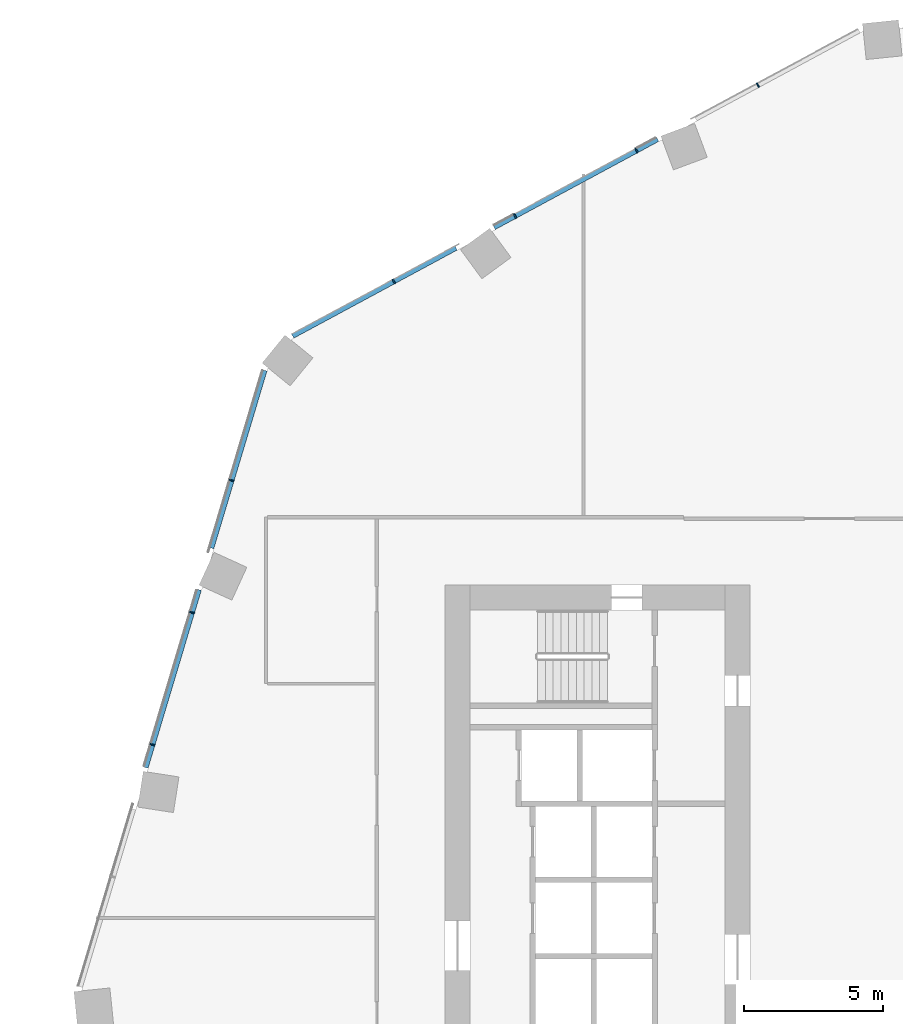
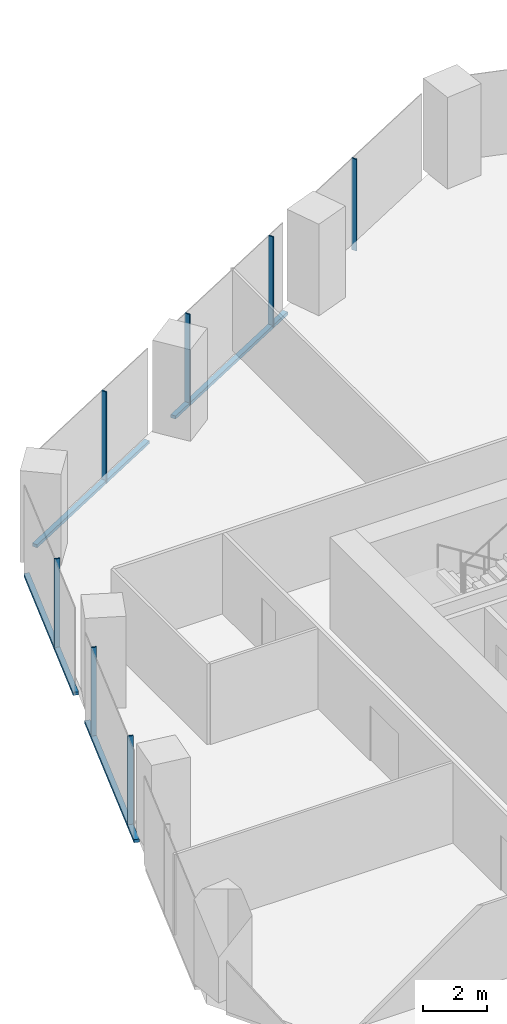
# One storey, part 11 of 34: 11 members, 2 elements without a shape of their own.
"""IFC4 building model written with IfcOpenShell, lengths in metres."""

from ifc_helpers import new_model, si_unit, direction, frame, origin, origin_2d, place, context, subcontext, project, spatial, rectangle, extrude, material, material_profile, profile_set, type_object, element, aggregate, save


model = new_model("IFC4")

# Units and contexts
model_context = context("Model", 3, precision=1e-05, world=origin(), true_north=direction((0.0, 1.0)))
body_context = subcontext(model_context, "Body", "Model", "MODEL_VIEW")
ifc_project = project(units=[si_unit("LENGTHUNIT", "METRE"), si_unit("AREAUNIT", "SQUARE_METRE"), si_unit("VOLUMEUNIT", "CUBIC_METRE"), si_unit("PLANEANGLEUNIT", "RADIAN"), si_unit("MASSUNIT", "GRAM", prefix="KILO")], contexts=[model_context])

# Site, building, storey
site_placement = place(None, origin())
site = spatial("IfcSite", under=ifc_project, at=site_placement, CompositionType="ELEMENT")
building_placement = place(site_placement, origin())
building = spatial("IfcBuilding", under=site, at=building_placement, Name="Orlundy Tower", CompositionType="ELEMENT")
storey_placement = place(building_placement, frame((0.0, 0.0, 130.699951171875)))
storey = spatial("IfcBuildingStorey", under=building, at=storey_placement, Name="L33", CompositionType="ELEMENT", Elevation=130.699951171875)

# Curtain wall, members
ifc_material_1 = material(Name="Aluminium bronze anodised", Category="aluminium")
curtain_wall_type = type_object("IfcCurtainWallType", Name="CW1 wall", PredefinedType="NOTDEFINED", material=ifc_material_1)
curtain_wall_1_placement = place(storey_placement, origin())
curtain_wall_1 = element("IfcCurtainWall", 1, at=curtain_wall_1_placement, inside=storey, type_object=curtain_wall_type, Name="CW1 run 02", PredefinedType="NOTDEFINED")
ifc_material_2 = material(Name="Aluminium bronze anodised", Category="aluminium")
ifc_material_profile_1 = material_profile(ifc_material_2, rectangle(XDim=0.179931640625, YDim=0.050048828125, at=origin_2d()), Name="CW1 mullion 50x180")
ifc_profile_set_1 = profile_set([ifc_material_profile_1], Name="Aluminium bronze anodised")
member_type_1 = type_object("IfcMemberType", Name="CW1 mullion 50x180", PredefinedType="MULLION", material=ifc_profile_set_1)
member_1_placement = place(storey_placement, frame((-29.5390625, 6.2490234375, -0.39990234375), z_axis=(0.0, 0.0, 1.0), x_axis=(-0.957985612971, 0.286816257107, 0.0)))
member_1 = element("IfcMember", 2, at=member_1_placement, type_object=member_type_1, Name="CW1 mullion 11", PredefinedType="MULLION", context=body_context, shape_type="SweptSolid", body=[
    extrude(rectangle(XDim=0.179931640625, YDim=0.050048828125, at=origin_2d()), origin(), (0.0, 0.0, 1.0), 3.5),
])
member_2_placement = place(storey_placement, frame((-28.113525390625, 11.010498046875, -0.39990234375), z_axis=(0.0, 0.0, 1.0), x_axis=(-0.957985612971, 0.286816257107, 0.0)))
member_2 = element("IfcMember", 3, at=member_2_placement, type_object=member_type_1, Name="CW1 mullion 12", PredefinedType="MULLION", context=body_context, shape_type="SweptSolid", body=[
    extrude(rectangle(XDim=0.179931640625, YDim=0.050048828125, at=origin_2d()), origin(), (0.0, 0.0, 1.0), 3.5),
])
member_3_placement = place(storey_placement, frame((-26.687744140625, 15.772216796875, -0.39990234375), z_axis=(0.0, 0.0, 1.0), x_axis=(-0.957985612971, 0.286816257107, 0.0)))
member_3 = element("IfcMember", 4, at=member_3_placement, type_object=member_type_1, Name="CW1 mullion 13", PredefinedType="MULLION", context=body_context, shape_type="SweptSolid", body=[
    extrude(rectangle(XDim=0.179931640625, YDim=0.050048828125, at=origin_2d()), origin(), (0.0, 0.0, 1.0), 3.5),
])

curtain_wall_2_placement = place(storey_placement, origin())
curtain_wall_2 = element("IfcCurtainWall", 5, at=curtain_wall_2_placement, inside=storey, type_object=curtain_wall_type, Name="CW1 run 03", PredefinedType="NOTDEFINED")
member_4_placement = place(storey_placement, frame((-20.843505859375, 22.946533203125, -0.39990234375), z_axis=(0.0, 0.0, 1.0), x_axis=(-0.47461800373, 0.880191882793, 0.0)))
member_4 = element("IfcMember", 6, at=member_4_placement, type_object=member_type_1, Name="CW1 mullion 15", PredefinedType="MULLION", context=body_context, shape_type="SweptSolid", body=[
    extrude(rectangle(XDim=0.179931640625, YDim=0.050048828125, at=origin_2d()), origin(), (0.0, 0.0, 1.0), 3.5),
])
member_5_placement = place(storey_placement, frame((-16.46826171875, 25.3056640625, -0.39990234375), z_axis=(0.0, 0.0, 1.0), x_axis=(-0.47461800373, 0.880191882793, 0.0)))
member_5 = element("IfcMember", 7, at=member_5_placement, type_object=member_type_1, Name="CW1 mullion 16", PredefinedType="MULLION", context=body_context, shape_type="SweptSolid", body=[
    extrude(rectangle(XDim=0.179931640625, YDim=0.050048828125, at=origin_2d()), origin(), (0.0, 0.0, 1.0), 3.5),
])
member_6_placement = place(storey_placement, frame((-12.093017578125, 27.664794921875, -0.39990234375), z_axis=(0.0, 0.0, 1.0), x_axis=(-0.47461800373, 0.880191882793, 0.0)))
member_6 = element("IfcMember", 8, at=member_6_placement, type_object=member_type_1, Name="CW1 mullion 17", PredefinedType="MULLION", context=body_context, shape_type="SweptSolid", body=[
    extrude(rectangle(XDim=0.179931640625, YDim=0.050048828125, at=origin_2d()), origin(), (0.0, 0.0, 1.0), 3.5),
])
member_7_placement = place(storey_placement, frame((-7.718017578125, 30.02392578125, -0.39990234375), z_axis=(0.0, 0.0, 1.0), x_axis=(-0.47461800373, 0.880191882793, 0.0)))
member_7 = element("IfcMember", 9, at=member_7_placement, type_object=member_type_1, Name="CW1 mullion 18", PredefinedType="MULLION", context=body_context, shape_type="SweptSolid", body=[
    extrude(rectangle(XDim=0.179931640625, YDim=0.050048828125, at=origin_2d()), origin(), (0.0, 0.0, 1.0), 3.5),
])

# Member
ifc_material_3 = material(Name="Aluminium bronze anodised", Category="aluminium")
ifc_material_profile_2 = material_profile(ifc_material_3, rectangle(XDim=0.179931640625, YDim=0.1201171875, at=origin_2d()), Name="CW1 transom 180x120")
ifc_profile_set_2 = profile_set([ifc_material_profile_2], Name="Aluminium bronze anodised")
member_type_2 = type_object("IfcMemberType", Name="CW1 transom 180x120", PredefinedType="USERDEFINED", material=ifc_profile_set_2)
member_8_placement = place(storey_placement, frame((-29.7861328125, 5.42333984375, -0.33984375), z_axis=(0.28679911732, 0.957990744373, 0.0), x_axis=(-0.957990744373, 0.28679911732, 0.0)))
member_8 = element("IfcMember", 10, at=member_8_placement, type_object=member_type_2, Name="CW1 transom", ObjectType="TRANSOM", PredefinedType="USERDEFINED", context=body_context, shape_type="SweptSolid", body=[
    extrude(rectangle(XDim=0.179931640625, YDim=0.1201171875, at=origin_2d()), origin(), (0.0, 0.0, 1.0), 6.6943359375),
])

member_9_placement = place(storey_placement, frame((-27.417236328125, 13.3359375, -0.33984375), z_axis=(0.28681514222, 0.957985946762, 0.0), x_axis=(-0.957985946762, 0.28681514222, 0.0)))
member_9 = element("IfcMember", 11, at=member_9_placement, type_object=member_type_2, Name="CW1 transom", ObjectType="TRANSOM", PredefinedType="USERDEFINED", context=body_context, shape_type="SweptSolid", body=[
    extrude(rectangle(XDim=0.179931640625, YDim=0.1201171875, at=origin_2d()), origin(), (0.0, 0.0, 1.0), 6.685302734375),
])

aggregate(curtain_wall_1, [member_1, member_2, member_3, member_8, member_9])

member_10_placement = place(storey_placement, frame((-24.489013671875, 20.980712890625, -0.33984375), z_axis=(0.880189674732, 0.474622098616, 0.0), x_axis=(-0.474622098616, 0.880189674732, 0.0)))
member_10 = element("IfcMember", 12, at=member_10_placement, type_object=member_type_2, Name="CW1 transom", ObjectType="TRANSOM", PredefinedType="USERDEFINED", context=body_context, shape_type="SweptSolid", body=[
    extrude(rectangle(XDim=0.179931640625, YDim=0.1201171875, at=origin_2d()), origin(), (0.0, 0.0, 1.0), 6.689208984375),
])

member_11_placement = place(storey_placement, frame((-17.226806640625, 24.896728515625, -0.33984375), z_axis=(0.880200432589, 0.474602147563, 0.0), x_axis=(-0.474602147563, 0.880200432589, 0.0)))
member_11 = element("IfcMember", 13, at=member_11_placement, type_object=member_type_2, Name="CW1 transom", ObjectType="TRANSOM", PredefinedType="USERDEFINED", context=body_context, shape_type="SweptSolid", body=[
    extrude(rectangle(XDim=0.179931640625, YDim=0.1201171875, at=origin_2d()), origin(), (0.0, 0.0, 1.0), 6.694091796875),
])

aggregate(curtain_wall_2, [member_4, member_5, member_6, member_7, member_10, member_11])

save(model, "model.ifc")
